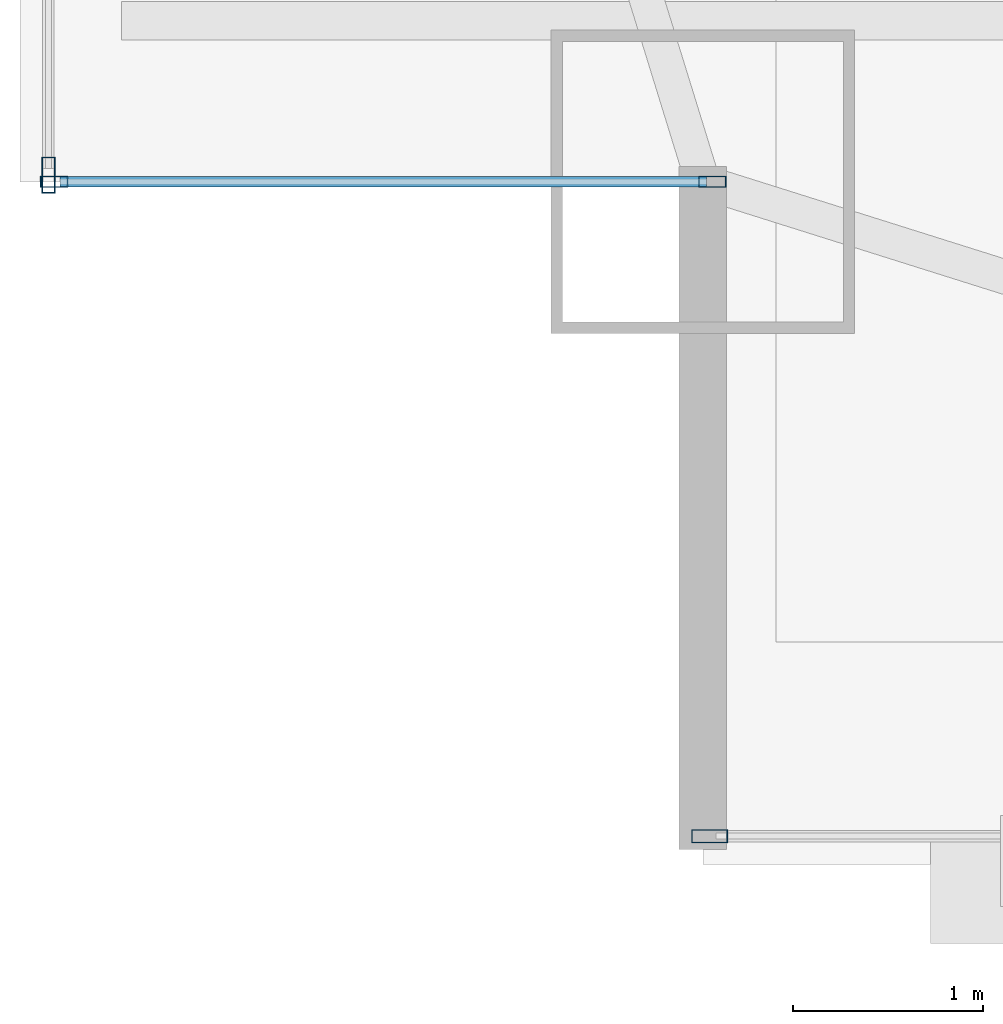
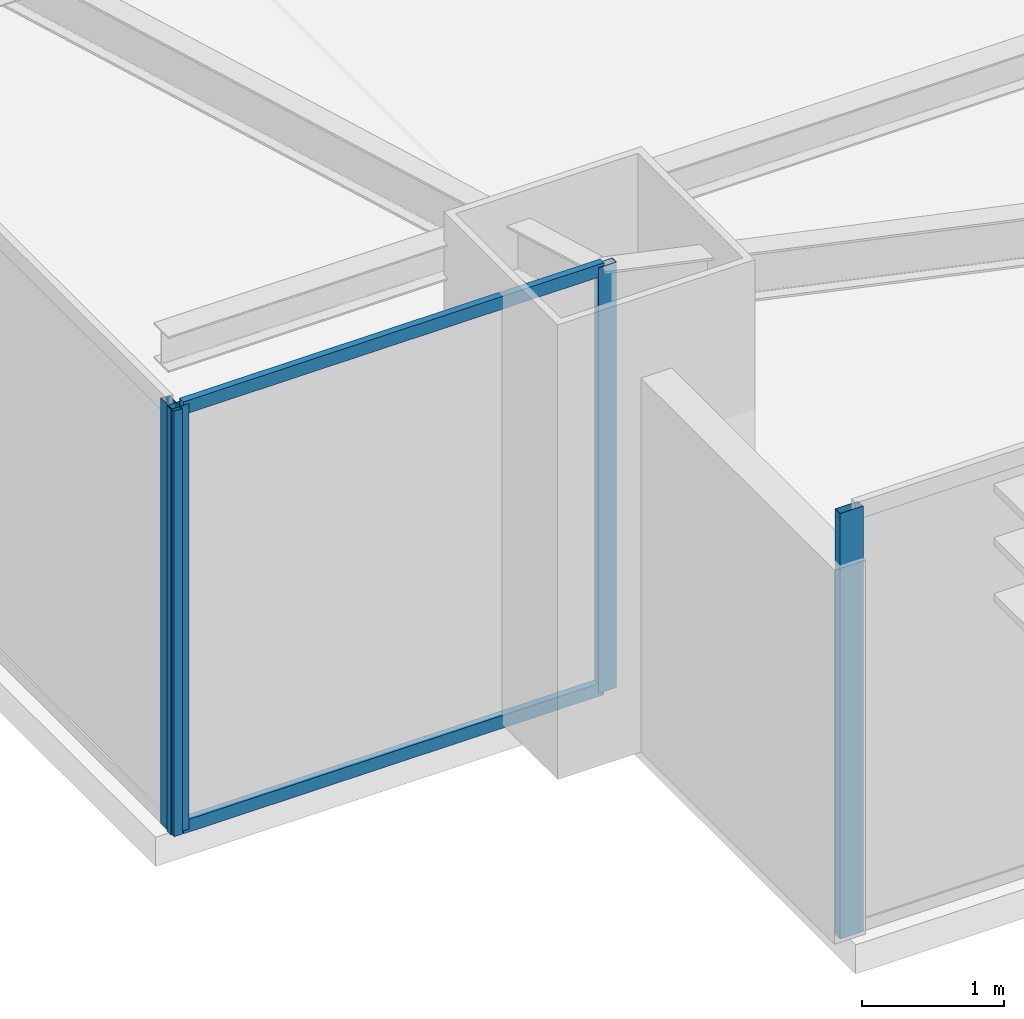
# One storey, part 3 of 35: 6 members, 3 elements without a shape of their own.
"""IFC4 building model written with IfcOpenShell, lengths in metres."""

from ifc_helpers import new_model, si_unit, direction, frame, origin, origin_2d, place, context, subcontext, project, spatial, hollow_rectangle, extrude, source, transform, mapped, material, layer, layer_set, material_profile, profile_set, type_object, type_shapes, element, aggregate, save


model = new_model("IFC4")

# Units and contexts
model_context = context("Model", 3, precision=1e-05, world=origin(), true_north=direction((0.0, 1.0)))
body_context = subcontext(model_context, "Body", "Model", "MODEL_VIEW")
ifc_project = project(units=[si_unit("LENGTHUNIT", "METRE"), si_unit("AREAUNIT", "SQUARE_METRE"), si_unit("VOLUMEUNIT", "CUBIC_METRE"), si_unit("PLANEANGLEUNIT", "RADIAN"), si_unit("MASSUNIT", "GRAM", prefix="KILO")], contexts=[model_context])

# Site, building, storey
site_placement = place(None, origin())
site = spatial("IfcSite", under=ifc_project, at=site_placement, CompositionType="ELEMENT")
building_placement = place(site_placement, origin())
building = spatial("IfcBuilding", under=site, at=building_placement, Name="Varnel Quay Broadcast Tower", CompositionType="ELEMENT")
storey_placement = place(building_placement, frame((0.0, 0.0, 66.60009765625)))
storey = spatial("IfcBuildingStorey", under=building, at=storey_placement, Name="L15", CompositionType="ELEMENT", Elevation=66.60009765625)

# Curtain wall, member
ifc_material = material(Name="Anodised Bronze Aluminium 6063-T6", Category="aluminium")
ifc_layer_1 = layer(ifc_material, 0.18994140625, Name="Anodised Bronze Aluminium 6063-T6")
ifc_layer_set_1 = layer_set([ifc_layer_1], Name="Anodised Bronze Aluminium 6063-T6")
curtain_wall_type_1 = type_object("IfcCurtainWallType", Name="CW_LowerTower", PredefinedType="NOTDEFINED", material=ifc_layer_set_1)
curtain_wall_1_placement = place(storey_placement, origin())
curtain_wall_1 = element("IfcCurtainWall", 1, at=curtain_wall_1_placement, inside=storey, type_object=curtain_wall_type_1, Name="L15 South Unitised Curtain Wall 1", PredefinedType="NOTDEFINED")
ifc_material_profile_1 = material_profile(ifc_material, hollow_rectangle(XDim=0.070068359375, YDim=0.18994140625, WallThickness=0.00390625, at=origin_2d()), Name="ALU70X190X4")
ifc_profile_set_1 = profile_set([ifc_material_profile_1], Name="Anodised Bronze Aluminium 6063-T6")
member_type_1 = type_object("IfcMemberType", Name="Mull_CWS-02", PredefinedType="MULLION", material=ifc_profile_set_1)
shared_shape_1 = source(origin(), body_context, "Body", "SweptSolid", [
    extrude(hollow_rectangle(XDim=0.070068359375, YDim=0.18994140625, WallThickness=0.00390625, at=origin_2d()), origin(), (0.0, 0.0, 1.0), 3.64990234375),
])
type_shapes(member_type_1, [shared_shape_1])
member_1_placement = place(storey_placement, frame((5.635009765625, 1.35009765625, 0.0), z_axis=(0.0, 0.0, 1.0), x_axis=(0.0, 1.0, 0.0)))
member_1 = element("IfcMember", 2, at=member_1_placement, type_object=member_type_1, Name="CWS-02 mullion 1", PredefinedType="MULLION", context=body_context, shape_type="MappedRepresentation", body=[
    mapped(shared_shape_1, transform((0.0, 0.0, 0.0), x_axis=(1.0, 0.0, 0.0), y_axis=(0.0, 1.0, 0.0), z_axis=(0.0, 0.0, 1.0), scale=1.0)),
])
aggregate(curtain_wall_1, [member_1])

curtain_wall_2_placement = place(storey_placement, origin())
curtain_wall_2 = element("IfcCurtainWall", 3, at=curtain_wall_2_placement, inside=storey, type_object=curtain_wall_type_1, Name="L15 West Unitised Curtain Wall", PredefinedType="NOTDEFINED")
member_2_placement = place(storey_placement, frame((2.14990234375, 4.8349609375, 0.0), z_axis=(0.0, 0.0, 1.0), x_axis=(-1.0, 0.0, 0.0)))
member_2 = element("IfcMember", 4, at=member_2_placement, type_object=member_type_1, Name="CWS-02 mullion 1", PredefinedType="MULLION", context=body_context, shape_type="MappedRepresentation", body=[
    mapped(shared_shape_1, transform((0.0, 0.0, 0.0), x_axis=(1.0, 0.0, 0.0), y_axis=(0.0, 1.0, 0.0), z_axis=(0.0, 0.0, 1.0), scale=1.0)),
])
aggregate(curtain_wall_2, [member_2])

# Curtain wall, members
ifc_layer_2 = layer(ifc_material, 0.18994140625, Name="Anodised Bronze Aluminium 6063-T6")
ifc_layer_set_2 = layer_set([ifc_layer_2], Name="Anodised Bronze Aluminium 6063-T6")
curtain_wall_type_2 = type_object("IfcCurtainWallType", Name="CW_NotchCorner", PredefinedType="NOTDEFINED", material=ifc_layer_set_2)
curtain_wall_3_placement = place(storey_placement, origin())
curtain_wall_3 = element("IfcCurtainWall", 5, at=curtain_wall_3_placement, inside=storey, type_object=curtain_wall_type_2, Name="L15 SW Notch Curtain Wall", PredefinedType="NOTDEFINED")
ifc_material_profile_2 = material_profile(ifc_material, hollow_rectangle(XDim=0.06005859375, YDim=0.14501953125, WallThickness=0.00341796875, at=origin_2d()), Name="ALU60X145X3.5")
ifc_profile_set_2 = profile_set([ifc_material_profile_2], Name="Anodised Bronze Aluminium 6063-T6")
member_type_2 = type_object("IfcMemberType", Name="Mull_CWS-04", PredefinedType="MULLION", material=ifc_profile_set_2)
shared_shape_2 = source(origin(), body_context, "Body", "SweptSolid", [
    extrude(hollow_rectangle(XDim=0.06005859375, YDim=0.14501953125, WallThickness=0.00341796875, at=origin_2d()), origin(), (0.0, 0.0, 1.0), 3.64990234375),
])
type_shapes(member_type_2, [shared_shape_2])
member_3_placement = place(storey_placement, frame((2.179931640625, 4.800048828125, 0.0), z_axis=(0.0, 0.0, 1.0), x_axis=(0.0, 1.0, 0.0)))
member_3 = element("IfcMember", 6, at=member_3_placement, type_object=member_type_2, Name="CWS-04 mullion 1", PredefinedType="MULLION", context=body_context, shape_type="MappedRepresentation", body=[
    mapped(shared_shape_2, transform((0.0, 0.0, 0.0), x_axis=(1.0, 0.0, 0.0), y_axis=(0.0, 1.0, 0.0), z_axis=(0.0, 0.0, 1.0), scale=1.0)),
])
member_4_placement = place(storey_placement, frame((5.64990234375, 4.800048828125, 0.0), z_axis=(0.0, 0.0, 1.0), x_axis=(0.0, 1.0, 0.0)))
member_4 = element("IfcMember", 7, at=member_4_placement, type_object=member_type_2, Name="CWS-04 mullion 2", PredefinedType="MULLION", context=body_context, shape_type="MappedRepresentation", body=[
    mapped(shared_shape_2, transform((0.0, 0.0, 0.0), x_axis=(1.0, 0.0, 0.0), y_axis=(0.0, 1.0, 0.0), z_axis=(0.0, 0.0, 1.0), scale=1.0)),
])
ifc_material_profile_3 = material_profile(ifc_material, hollow_rectangle(XDim=0.054931640625, YDim=0.110107421875, WallThickness=0.0029296875, at=origin_2d()), Name="ALU55X110X3")
ifc_profile_set_3 = profile_set([ifc_material_profile_3], Name="Anodised Bronze Aluminium 6063-T6")
member_type_3 = type_object("IfcMemberType", Name="Tran_CWS-04", PredefinedType="USERDEFINED", material=ifc_profile_set_3)
shared_shape_3 = source(origin(), body_context, "Body", "SweptSolid", [
    extrude(hollow_rectangle(XDim=0.054931640625, YDim=0.110107421875, WallThickness=0.0029296875, at=origin_2d()), origin(), (0.0, 0.0, 1.0), 3.41015625),
])
type_shapes(member_type_3, [shared_shape_3])
member_5_placement = place(storey_placement, frame((2.2099609375, 4.800048828125, 0.02734375), z_axis=(1.0, 0.0, 0.0), x_axis=(0.0, 1.0, 0.0)))
member_5 = element("IfcMember", 8, at=member_5_placement, type_object=member_type_3, Name="CWS-04 transom 1.1", ObjectType="TRANSOM", PredefinedType="USERDEFINED", context=body_context, shape_type="MappedRepresentation", body=[
    mapped(shared_shape_3, transform((0.0, 0.0, 0.0), x_axis=(1.0, 0.0, 0.0), y_axis=(0.0, 1.0, 0.0), z_axis=(0.0, 0.0, 1.0), scale=1.0)),
])
member_6_placement = place(storey_placement, frame((2.2099609375, 4.800048828125, 3.622314453125), z_axis=(1.0, 0.0, 0.0), x_axis=(0.0, 1.0, 0.0)))
member_6 = element("IfcMember", 9, at=member_6_placement, type_object=member_type_3, Name="CWS-04 transom 1.2", ObjectType="TRANSOM", PredefinedType="USERDEFINED", context=body_context, shape_type="MappedRepresentation", body=[
    mapped(shared_shape_3, transform((0.0, 0.0, 0.0), x_axis=(1.0, 0.0, 0.0), y_axis=(0.0, 1.0, 0.0), z_axis=(0.0, 0.0, 1.0), scale=1.0)),
])
aggregate(curtain_wall_3, [member_3, member_4, member_5, member_6])

save(model, "model.ifc")
